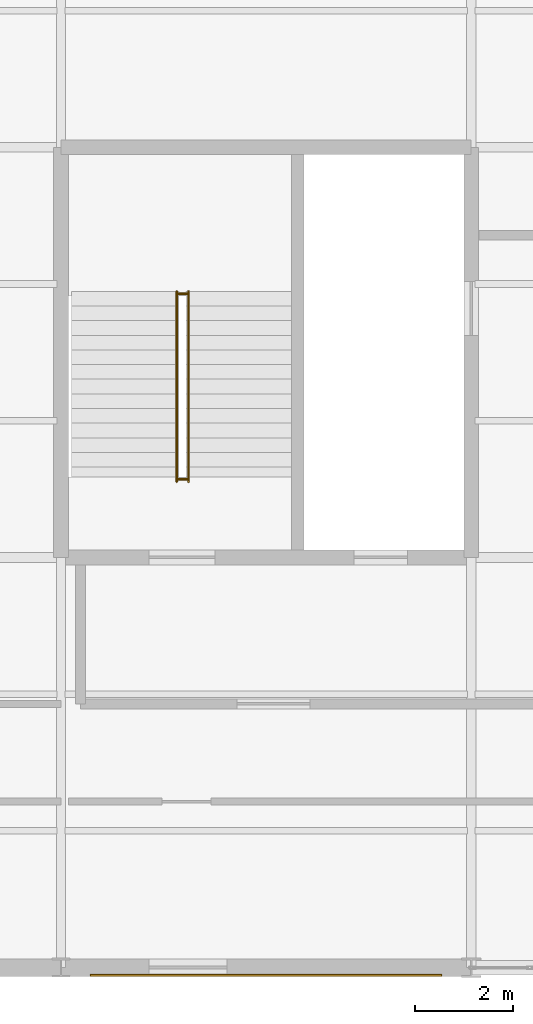
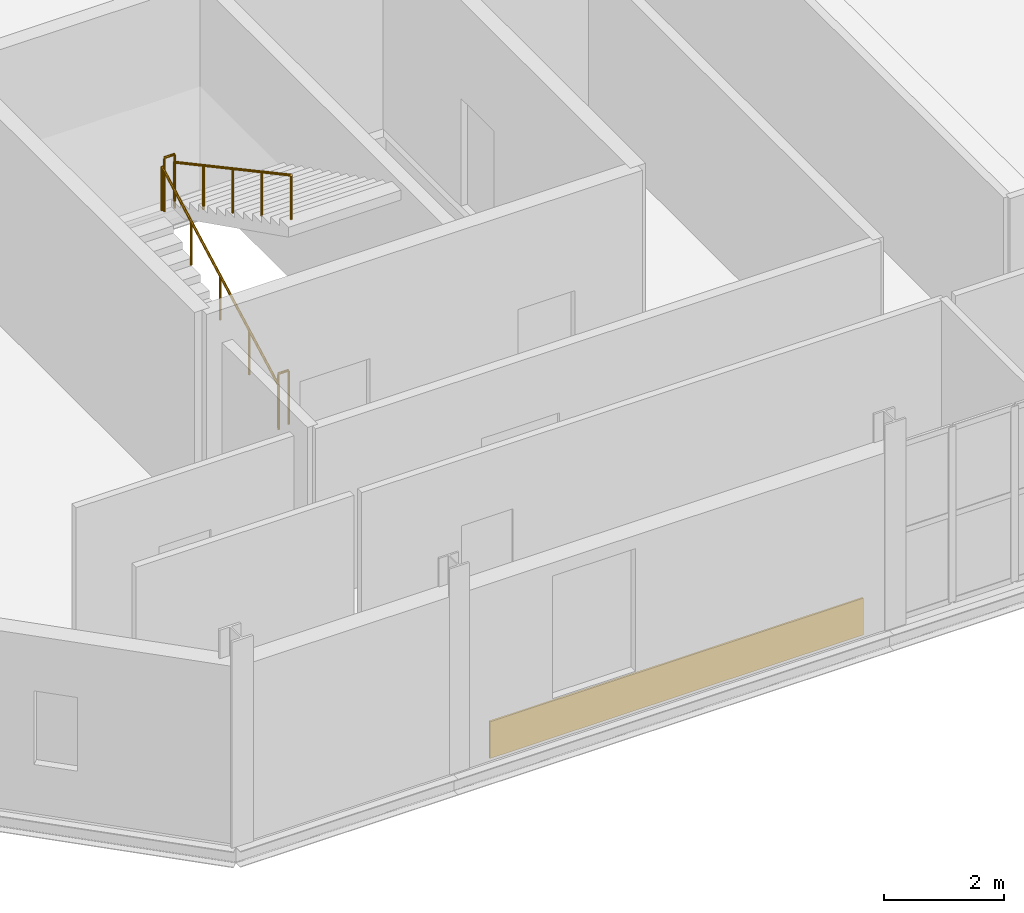
# One storey, part 153 of 163: 4 railings, 1 covering.
"""IFC4 building model written with IfcOpenShell, lengths in metres."""

from ifc_helpers import new_model, si_unit, direction, frame, origin, origin_2d, place, context, subcontext, project, spatial, rectangle, circle, extrude, material, layer, layer_set, type_object, element, save


model = new_model("IFC4")

# Units and contexts
model_context = context("Model", 3, precision=1e-05, world=origin(), true_north=direction((0.0, 1.0)))
body_context = subcontext(model_context, "Body", "Model", "MODEL_VIEW")
ifc_project = project(units=[si_unit("LENGTHUNIT", "METRE"), si_unit("AREAUNIT", "SQUARE_METRE"), si_unit("VOLUMEUNIT", "CUBIC_METRE"), si_unit("PLANEANGLEUNIT", "RADIAN"), si_unit("MASSUNIT", "GRAM", prefix="KILO")], contexts=[model_context])

# Site, building, storey
site_placement = place(None, origin())
site = spatial("IfcSite", under=ifc_project, at=site_placement, CompositionType="ELEMENT")
building_placement = place(site_placement, origin())
building = spatial("IfcBuilding", under=site, at=building_placement, Name="Qalvenar Corner Mobility Hub", CompositionType="ELEMENT")
storey_placement = place(building_placement, frame((0.0, 0.0, 4.800048828125)))
storey = spatial("IfcBuildingStorey", under=building, at=storey_placement, Name="L01", CompositionType="ELEMENT", Elevation=4.800048828125)

# Covering
ifc_material_1 = material(Name="Kashikari Glazed Turquoise Faience Tile Cladding", Category="masonry")
ifc_layer = layer(ifc_material_1, 0.034912109375)
ifc_layer_set = layer_set([ifc_layer], Name="Kashikari Glazed Turquoise Faience Tile Cladding")
covering_type = type_object("IfcCoveringType", Name="COV-CLAD-FAI", PredefinedType="CLADDING", material=ifc_layer_set)
covering_placement = place(storey_placement, frame((12.60009765625, -0.155029296875, 0.044921875), z_axis=(0.0, 0.0, 1.0), x_axis=(1.0, 0.0, 0.0)))
element("IfcCovering", 1, at=covering_placement, inside=storey, type_object=covering_type, Name="Kashikari Faience Spandrel V3-L01-S1", PredefinedType="CLADDING", context=body_context, shape_type="SweptSolid", body=[
    extrude(rectangle(XDim=7.199951171875, YDim=0.034912109375, at=origin_2d()), origin(), (0.0, 0.0, 1.0), 0.75),
])

# Railings
ifc_material_2 = material(Name="Art Nouveau Bronze-Finished Steel Balustrade", Category="steel")
railing_type_1 = type_object("IfcRailingType", Name="RL-GUARD-110", PredefinedType="GUARDRAIL", material=ifc_material_2)
for number, where, name in (
    (2, (10.7900390625, 10.0, 0.0), "Stair Arrival Slot Guard C1-L01"),
    (3, (10.7900390625, 13.800048828125, 2.099853515625), "Stair Half-Landing Well Guard ST1-L01"),
):
    element("IfcRailing", number, at=place(storey_placement, frame(where)), inside=storey, type_object=railing_type_1, Name=name, PredefinedType="GUARDRAIL", context=body_context, shape_type="SweptSolid", body=[
        extrude(circle(Radius=0.02392578125, at=origin_2d()), frame((0.0, 0.0, 1.09619140625), z_axis=(1.0, 0.0, 0.0), x_axis=(0.0, 1.0, 0.0)), (0.0, 0.0, 1.0), 0.199951171875),
        extrude(circle(Radius=0.02099609375, at=origin_2d()), origin(), (0.0, 0.0, 1.0), 1.072021484375),
        extrude(circle(Radius=0.02099609375, at=origin_2d()), frame((0.199951171875, 0.0, 0.0)), (0.0, 0.0, 1.0), 1.072021484375),
    ])
ifc_material_3 = material(Name="Brushed Stainless Steel Handrail", Category="steel")
railing_type_2 = type_object("IfcRailingType", Name="RL-HAND-092", PredefinedType="HANDRAIL", material=ifc_material_3)
railing_1_placement = place(storey_placement, frame((10.77001953125, 9.949951171875, 0.0)))
element("IfcRailing", 4, at=railing_1_placement, inside=storey, type_object=railing_type_2, Name="Stair Handrail ST1-L01-1", PredefinedType="HANDRAIL", context=body_context, shape_type="SweptSolid", body=[
    extrude(circle(Radius=0.02392578125, at=origin_2d()), frame((0.0, 0.0, 0.89599609375), z_axis=(0.0, 0.88049233674, 0.474060381114), x_axis=(-1.0, 0.0, 0.0)), (0.0, 0.0, 1.0), 4.429443359375),
    extrude(circle(Radius=0.02099609375, at=origin_2d()), origin(), (0.0, 0.0, 1.0), 0.871826171875),
    extrude(circle(Radius=0.02099609375, at=origin_2d()), frame((0.0, 0.97509765625, 0.52490234375)), (0.0, 0.0, 1.0), 0.871826171875),
    extrude(circle(Radius=0.02099609375, at=origin_2d()), frame((0.0, 1.9501953125, 1.0498046875)), (0.0, 0.0, 1.0), 0.871826171875),
    extrude(circle(Radius=0.02099609375, at=origin_2d()), frame((0.0, 2.925048828125, 1.574951171875)), (0.0, 0.0, 1.0), 0.871826171875),
    extrude(circle(Radius=0.02099609375, at=origin_2d()), frame((0.0, 3.900146484375, 2.099853515625)), (0.0, 0.0, 1.0), 0.871826171875),
])
railing_2_placement = place(storey_placement, frame((11.010009765625, 13.85009765625, 2.099853515625)))
element("IfcRailing", 5, at=railing_2_placement, inside=storey, type_object=railing_type_2, Name="Stair Handrail ST1-L01-2", PredefinedType="HANDRAIL", context=body_context, shape_type="SweptSolid", body=[
    extrude(circle(Radius=0.02392578125, at=origin_2d()), frame((0.0, 0.0, 0.89599609375), z_axis=(0.0, -0.880469330154, 0.474103109733), x_axis=(1.0, 0.0, 0.0)), (0.0, 0.0, 1.0), 4.4296875),
    extrude(circle(Radius=0.02099609375, at=origin_2d()), origin(), (0.0, 0.0, 1.0), 0.871826171875),
    extrude(circle(Radius=0.02099609375, at=origin_2d()), frame((0.0, -0.97509765625, 0.52490234375)), (0.0, 0.0, 1.0), 0.871826171875),
    extrude(circle(Radius=0.02099609375, at=origin_2d()), frame((0.0, -1.9501953125, 1.050048828125)), (0.0, 0.0, 1.0), 0.871826171875),
    extrude(circle(Radius=0.02099609375, at=origin_2d()), frame((0.0, -2.925048828125, 1.5751953125)), (0.0, 0.0, 1.0), 0.871826171875),
    extrude(circle(Radius=0.02099609375, at=origin_2d()), frame((0.0, -3.900146484375, 2.10009765625)), (0.0, 0.0, 1.0), 0.871826171875),
])

save(model, "model.ifc")
